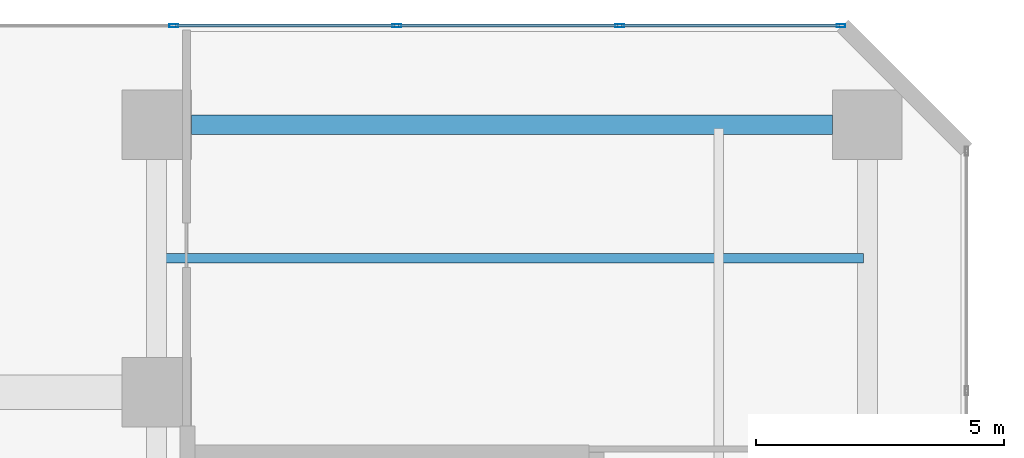
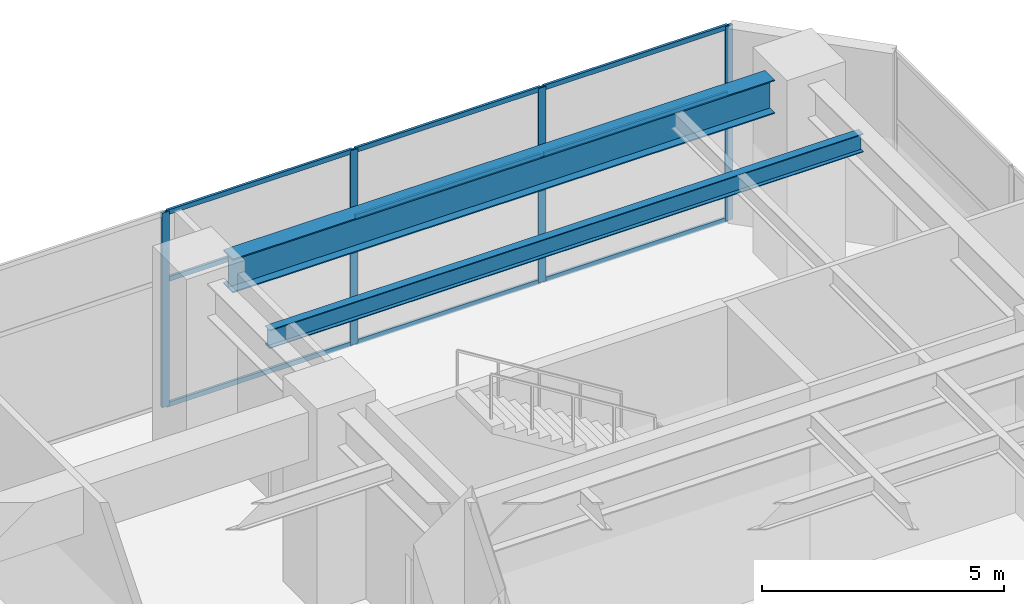
# One storey, part 14 of 29: 13 members, 2 beams, 1 element without a shape of its own.
"""IFC4 building model written with IfcOpenShell, lengths in metres."""

from ifc_helpers import new_model, si_unit, direction, frame, origin, origin_2d, place, context, subcontext, project, spatial, hollow_rectangle, i_section, extrude, material, layer, layer_set, material_profile, profile_set, type_object, element, aggregate, save


model = new_model("IFC4")

# Units and contexts
model_context = context("Model", 3, precision=1e-05, world=origin(), true_north=direction((0.0, 1.0)))
body_context = subcontext(model_context, "Body", "Model", "MODEL_VIEW")
ifc_project = project(units=[si_unit("LENGTHUNIT", "METRE"), si_unit("AREAUNIT", "SQUARE_METRE"), si_unit("VOLUMEUNIT", "CUBIC_METRE"), si_unit("PLANEANGLEUNIT", "RADIAN"), si_unit("MASSUNIT", "GRAM", prefix="KILO")], contexts=[model_context])

# Site, building, storey
site_placement = place(None, origin())
site = spatial("IfcSite", under=ifc_project, at=site_placement, CompositionType="ELEMENT")
building_placement = place(site_placement, origin())
building = spatial("IfcBuilding", under=site, at=building_placement, Name="Mawjaban Terraces University", CompositionType="ELEMENT")
storey_placement = place(building_placement, frame((0.0, 0.0, 15.60009765625)))
storey = spatial("IfcBuildingStorey", under=building, at=storey_placement, Name="L03", CompositionType="ELEMENT", Elevation=15.60009765625)

# Beams
ifc_material_1 = material(Name="Steel ASTM A572 Grade 50", Category="steel")
ifc_material_profile_1 = material_profile(ifc_material_1, i_section(OverallWidth=0.39990234375, OverallDepth=0.85498046875, WebThickness=0.018310546875, FlangeThickness=0.029296875, at=origin_2d()), Name="W840X299")
ifc_profile_set_1 = profile_set([ifc_material_profile_1], Name="Steel ASTM A572 Grade 50")
beam_type_1 = type_object("IfcBeamType", Name="Beam_B_W840X299", PredefinedType="BEAM", material=ifc_profile_set_1)
beam_1_placement = place(storey_placement, frame((38.35009765625, 52.0, 4.492919921875), z_axis=(1.0, 0.0, 0.0), x_axis=(0.0, 1.0, 0.0)))
element("IfcBeam", 1, at=beam_1_placement, inside=storey, type_object=beam_type_1, Name="L03 Beam BM-L03-EW-18", PredefinedType="BEAM", context=body_context, shape_type="SweptSolid", body=[
    extrude(i_section(OverallWidth=0.39990234375, OverallDepth=0.85498046875, WebThickness=0.018310546875, FlangeThickness=0.029296875, at=origin_2d()), origin(), (0.0, 0.0, 1.0), 12.949951171875),
])
ifc_material_profile_2 = material_profile(ifc_material_1, i_section(OverallWidth=0.194091796875, OverallDepth=0.468994140625, WebThickness=0.011474609375, FlangeThickness=0.0205078125, at=origin_2d()), Name="W460X106")
ifc_profile_set_2 = profile_set([ifc_material_profile_2], Name="Steel ASTM A572 Grade 50")
beam_type_2 = type_object("IfcBeamType", Name="Beam_J_W460X106", PredefinedType="JOIST", material=ifc_profile_set_2)
beam_2_placement = place(storey_placement, frame((37.72998046875, 49.300048828125, 4.684814453125), z_axis=(1.0, 0.0, 0.0), x_axis=(0.0, 1.0, 0.0)))
element("IfcBeam", 2, at=beam_2_placement, inside=storey, type_object=beam_type_2, Name="L03 Composite Joist JST-L03-25", PredefinedType="JOIST", context=body_context, shape_type="SweptSolid", body=[
    extrude(i_section(OverallWidth=0.194091796875, OverallDepth=0.468994140625, WebThickness=0.011474609375, FlangeThickness=0.0205078125, at=origin_2d()), origin(), (0.0, 0.0, 1.0), 14.18994140625),
])

# Curtain wall, members
ifc_material_2 = material(Name="Anodised aluminium 6063-T6 and solar-control low-E glass", Category="aluminium")
ifc_layer = layer(ifc_material_2, 0.175048828125)
ifc_layer_set = layer_set([ifc_layer], Name="Anodised aluminium 6063-T6 and solar-control low-E glass")
curtain_wall_type = type_object("IfcCurtainWallType", Name="CWSystem_02_PodiumLibrary", PredefinedType="NOTDEFINED", material=ifc_layer_set)
curtain_wall_placement = place(storey_placement, origin())
curtain_wall = element("IfcCurtainWall", 3, at=curtain_wall_placement, inside=storey, type_object=curtain_wall_type, Name="L03 Curtain Wall CW-02 Run 8.1", PredefinedType="NOTDEFINED")
ifc_material_3 = material(Name="Anodised aluminium 6063-T6", Category="aluminium")
ifc_material_profile_3 = material_profile(ifc_material_3, hollow_rectangle(XDim=0.06494140625, YDim=0.179931640625, WallThickness=0.00390625, at=origin_2d()), Name="ALU180X65X4")
ifc_profile_set_3 = profile_set([ifc_material_profile_3], Name="Anodised aluminium 6063-T6")
member_type_1 = type_object("IfcMemberType", Name="Mullion_CW-02", PredefinedType="MULLION", material=ifc_profile_set_3)
member_1_placement = place(storey_placement, frame((51.467529296875, 54.0, 0.0), z_axis=(0.0, 0.0, 1.0), x_axis=(0.0, -1.0, 0.0)))
member_1 = element("IfcMember", 4, at=member_1_placement, type_object=member_type_1, Name="CW-02 mullion 1", PredefinedType="MULLION", context=body_context, shape_type="SweptSolid", body=[
    extrude(hollow_rectangle(XDim=0.06494140625, YDim=0.179931640625, WallThickness=0.00390625, at=origin_2d()), origin(), (0.0, 0.0, 1.0), 4.919921875),
])
member_2_placement = place(storey_placement, frame((47.0, 54.0, 0.0), z_axis=(0.0, 0.0, 1.0), x_axis=(0.0, -1.0, 0.0)))
member_2 = element("IfcMember", 5, at=member_2_placement, type_object=member_type_1, Name="CW-02 mullion 2", PredefinedType="MULLION", context=body_context, shape_type="SweptSolid", body=[
    extrude(hollow_rectangle(XDim=0.06494140625, YDim=0.179931640625, WallThickness=0.00390625, at=origin_2d()), origin(), (0.0, 0.0, 1.0), 4.919921875),
])
member_3_placement = place(storey_placement, frame((42.5, 54.0, 0.0), z_axis=(0.0, 0.0, 1.0), x_axis=(0.0, -1.0, 0.0)))
member_3 = element("IfcMember", 6, at=member_3_placement, type_object=member_type_1, Name="CW-02 mullion 3", PredefinedType="MULLION", context=body_context, shape_type="SweptSolid", body=[
    extrude(hollow_rectangle(XDim=0.06494140625, YDim=0.179931640625, WallThickness=0.00390625, at=origin_2d()), origin(), (0.0, 0.0, 1.0), 4.919921875),
])
member_4_placement = place(storey_placement, frame((38.0, 54.0, 0.0), z_axis=(0.0, 0.0, 1.0), x_axis=(0.0, -1.0, 0.0)))
member_4 = element("IfcMember", 7, at=member_4_placement, type_object=member_type_1, Name="CW-02 mullion 4", PredefinedType="MULLION", context=body_context, shape_type="SweptSolid", body=[
    extrude(hollow_rectangle(XDim=0.06494140625, YDim=0.179931640625, WallThickness=0.00390625, at=origin_2d()), origin(), (0.0, 0.0, 1.0), 4.919921875),
])
ifc_material_profile_4 = material_profile(ifc_material_3, hollow_rectangle(XDim=0.06005859375, YDim=0.1201171875, WallThickness=0.00341796875, at=origin_2d()), Name="ALU120X60X3.5")
ifc_profile_set_4 = profile_set([ifc_material_profile_4], Name="Anodised aluminium 6063-T6")
member_type_2 = type_object("IfcMemberType", Name="Transom_CW-02", PredefinedType="NOTDEFINED", material=ifc_profile_set_4)
member_5_placement = place(storey_placement, frame((51.43505859375, 54.0, 0.02978515625), z_axis=(-1.0, 0.0, 0.0), x_axis=(0.0, -1.0, 0.0)))
member_5 = element("IfcMember", 8, at=member_5_placement, type_object=member_type_2, Name="CW-02 transom 1.1", ObjectType="TRANSOM", PredefinedType="USERDEFINED", context=body_context, shape_type="SweptSolid", body=[
    extrude(hollow_rectangle(XDim=0.06005859375, YDim=0.1201171875, WallThickness=0.00341796875, at=origin_2d()), origin(), (0.0, 0.0, 1.0), 4.402587890625),
])
member_6_placement = place(storey_placement, frame((51.43505859375, 54.0, 3.197998046875), z_axis=(-1.0, 0.0, 0.0), x_axis=(0.0, -1.0, 0.0)))
member_6 = element("IfcMember", 9, at=member_6_placement, type_object=member_type_2, Name="CW-02 transom 1.2", ObjectType="TRANSOM", PredefinedType="USERDEFINED", context=body_context, shape_type="SweptSolid", body=[
    extrude(hollow_rectangle(XDim=0.06005859375, YDim=0.1201171875, WallThickness=0.00341796875, at=origin_2d()), origin(), (0.0, 0.0, 1.0), 4.402587890625),
])
member_7_placement = place(storey_placement, frame((51.43505859375, 54.0, 4.889892578125), z_axis=(-1.0, 0.0, 0.0), x_axis=(0.0, -1.0, 0.0)))
member_7 = element("IfcMember", 10, at=member_7_placement, type_object=member_type_2, Name="CW-02 transom 1.3", ObjectType="TRANSOM", PredefinedType="USERDEFINED", context=body_context, shape_type="SweptSolid", body=[
    extrude(hollow_rectangle(XDim=0.06005859375, YDim=0.1201171875, WallThickness=0.00341796875, at=origin_2d()), origin(), (0.0, 0.0, 1.0), 4.402587890625),
])
member_8_placement = place(storey_placement, frame((46.967529296875, 54.0, 0.02978515625), z_axis=(-1.0, 0.0, 0.0), x_axis=(0.0, -1.0, 0.0)))
member_8 = element("IfcMember", 11, at=member_8_placement, type_object=member_type_2, Name="CW-02 transom 2.1", ObjectType="TRANSOM", PredefinedType="USERDEFINED", context=body_context, shape_type="SweptSolid", body=[
    extrude(hollow_rectangle(XDim=0.06005859375, YDim=0.1201171875, WallThickness=0.00341796875, at=origin_2d()), origin(), (0.0, 0.0, 1.0), 4.43505859375),
])
member_9_placement = place(storey_placement, frame((46.967529296875, 54.0, 3.197998046875), z_axis=(-1.0, 0.0, 0.0), x_axis=(0.0, -1.0, 0.0)))
member_9 = element("IfcMember", 12, at=member_9_placement, type_object=member_type_2, Name="CW-02 transom 2.2", ObjectType="TRANSOM", PredefinedType="USERDEFINED", context=body_context, shape_type="SweptSolid", body=[
    extrude(hollow_rectangle(XDim=0.06005859375, YDim=0.1201171875, WallThickness=0.00341796875, at=origin_2d()), origin(), (0.0, 0.0, 1.0), 4.43505859375),
])
member_10_placement = place(storey_placement, frame((46.967529296875, 54.0, 4.889892578125), z_axis=(-1.0, 0.0, 0.0), x_axis=(0.0, -1.0, 0.0)))
member_10 = element("IfcMember", 13, at=member_10_placement, type_object=member_type_2, Name="CW-02 transom 2.3", ObjectType="TRANSOM", PredefinedType="USERDEFINED", context=body_context, shape_type="SweptSolid", body=[
    extrude(hollow_rectangle(XDim=0.06005859375, YDim=0.1201171875, WallThickness=0.00341796875, at=origin_2d()), origin(), (0.0, 0.0, 1.0), 4.43505859375),
])
member_11_placement = place(storey_placement, frame((42.467529296875, 54.0, 0.02978515625), z_axis=(-1.0, 0.0, 0.0), x_axis=(0.0, -1.0, 0.0)))
member_11 = element("IfcMember", 14, at=member_11_placement, type_object=member_type_2, Name="CW-02 transom 3.1", ObjectType="TRANSOM", PredefinedType="USERDEFINED", context=body_context, shape_type="SweptSolid", body=[
    extrude(hollow_rectangle(XDim=0.06005859375, YDim=0.1201171875, WallThickness=0.00341796875, at=origin_2d()), origin(), (0.0, 0.0, 1.0), 4.43505859375),
])
member_12_placement = place(storey_placement, frame((42.467529296875, 54.0, 3.197998046875), z_axis=(-1.0, 0.0, 0.0), x_axis=(0.0, -1.0, 0.0)))
member_12 = element("IfcMember", 15, at=member_12_placement, type_object=member_type_2, Name="CW-02 transom 3.2", ObjectType="TRANSOM", PredefinedType="USERDEFINED", context=body_context, shape_type="SweptSolid", body=[
    extrude(hollow_rectangle(XDim=0.06005859375, YDim=0.1201171875, WallThickness=0.00341796875, at=origin_2d()), origin(), (0.0, 0.0, 1.0), 4.43505859375),
])
member_13_placement = place(storey_placement, frame((42.467529296875, 54.0, 4.889892578125), z_axis=(-1.0, 0.0, 0.0), x_axis=(0.0, -1.0, 0.0)))
member_13 = element("IfcMember", 16, at=member_13_placement, type_object=member_type_2, Name="CW-02 transom 3.3", ObjectType="TRANSOM", PredefinedType="USERDEFINED", context=body_context, shape_type="SweptSolid", body=[
    extrude(hollow_rectangle(XDim=0.06005859375, YDim=0.1201171875, WallThickness=0.00341796875, at=origin_2d()), origin(), (0.0, 0.0, 1.0), 4.43505859375),
])
aggregate(curtain_wall, [member_1, member_2, member_3, member_4, member_5, member_6, member_7, member_8, member_9, member_10, member_11, member_12, member_13])

save(model, "model.ifc")
